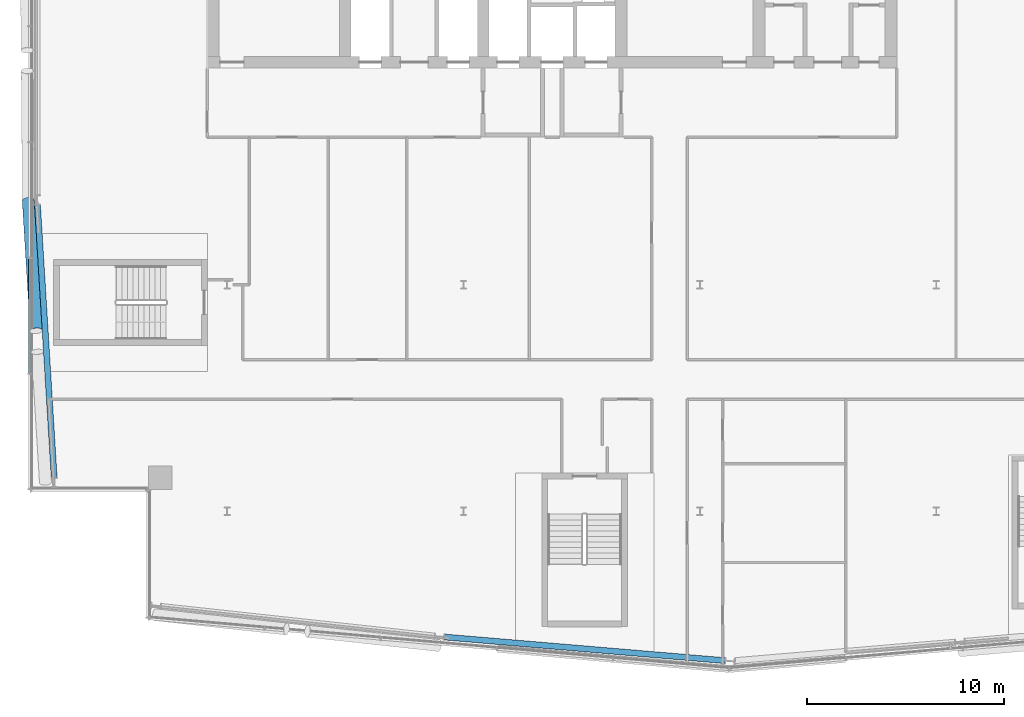
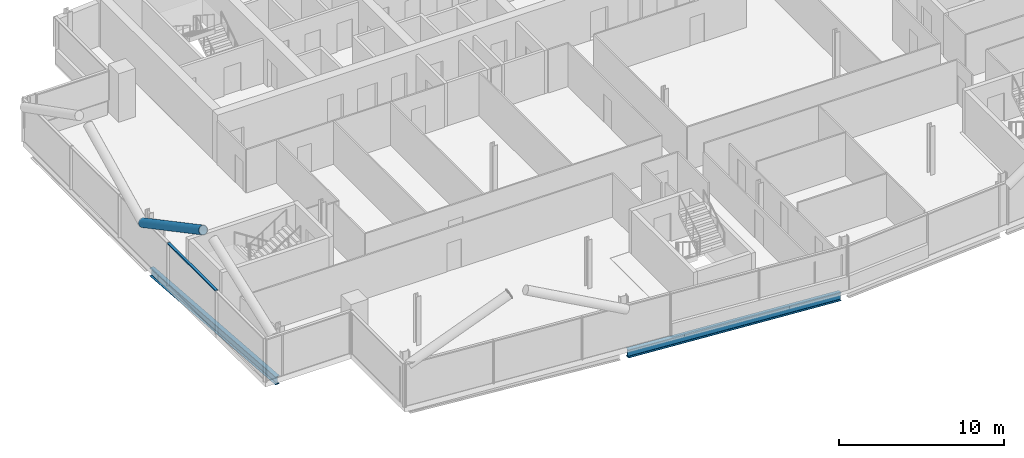
# One storey, part 6 of 27: 2 beams, 2 members, 1 element without a shape of its own.
"""IFC4 building model written with IfcOpenShell, lengths in metres."""

from ifc_helpers import new_model, si_unit, direction, frame, origin, origin_2d, place, context, subcontext, project, spatial, rectangle, hollow_circle, i_section, extrude, material, material_profile, profile_set, type_object, element, aggregate, save


model = new_model("IFC4")

# Units and contexts
model_context = context("Model", 3, precision=1e-05, world=origin(), true_north=direction((0.0, 1.0)))
body_context = subcontext(model_context, "Body", "Model", "MODEL_VIEW")
ifc_project = project(units=[si_unit("LENGTHUNIT", "METRE"), si_unit("AREAUNIT", "SQUARE_METRE"), si_unit("VOLUMEUNIT", "CUBIC_METRE"), si_unit("PLANEANGLEUNIT", "RADIAN"), si_unit("MASSUNIT", "GRAM", prefix="KILO")], contexts=[model_context])

# Site, building, storey
site_placement = place(None, origin())
site = spatial("IfcSite", under=ifc_project, at=site_placement, CompositionType="ELEMENT")
building_placement = place(site_placement, origin())
building = spatial("IfcBuilding", under=site, at=building_placement, Name="Wharfspan Tower", CompositionType="ELEMENT")
storey_placement = place(building_placement, frame((0.0, 0.0, 210.699951)))
storey = spatial("IfcBuildingStorey", under=building, at=storey_placement, Name="L52", CompositionType="ELEMENT", Elevation=210.699951)

# Beams
ifc_material_1 = material(Name="Steel S355J2", Category="steel")
ifc_material_profile_1 = material_profile(ifc_material_1, i_section(OverallWidth=0.300049, OverallDepth=0.600098, WebThickness=0.015381, FlangeThickness=0.030029, FilletRadius=0.0271, at=origin_2d()))
ifc_profile_set_1 = profile_set([ifc_material_profile_1], Name="Steel S355J2")
beam_type = type_object("IfcBeamType", Name="Edge beam HEB 600", PredefinedType="SPANDREL", material=ifc_profile_set_1)
beam_1_placement = place(storey_placement, frame((35.038574, 5.121582, -0.699951), z_axis=(0.996473, -0.083909, 0.0), x_axis=(0.083909, 0.996473, 0.0)))
element("IfcBeam", 1, at=beam_1_placement, inside=storey, type_object=beam_type, Name="Edge beam S1 L52 PS1.2 to PS1.3", PredefinedType="SPANDREL", context=body_context, shape_type="SweptSolid", body=[
    extrude(i_section(OverallWidth=0.300049, OverallDepth=0.600098, WebThickness=0.015381, FlangeThickness=0.030029, FilletRadius=0.0271, at=origin_2d()), origin(), (0.0, 0.0, 1.0), 14.277344),
])
beam_2_placement = place(storey_placement, frame((14.375732, 27.041992, -0.699951), z_axis=(0.061113, -0.998131, 0.0), x_axis=(0.998131, 0.061113, 0.0)))
element("IfcBeam", 2, at=beam_2_placement, inside=storey, type_object=beam_type, Name="Edge beam L52 PW.1 to PW.2", PredefinedType="SPANDREL", context=body_context, shape_type="SweptSolid", body=[
    extrude(i_section(OverallWidth=0.300049, OverallDepth=0.600098, WebThickness=0.015381, FlangeThickness=0.030029, FilletRadius=0.0271, at=origin_2d()), origin(), (0.0, 0.0, 1.0), 13.846436),
])

# Member
ifc_material_2 = material(Name="Steel S460NH", Category="steel")
ifc_material_profile_2 = material_profile(ifc_material_2, hollow_circle(Radius=0.304932, WallThickness=0.024902, at=origin_2d()))
ifc_profile_set_2 = profile_set([ifc_material_profile_2], Name="Steel S460NH")
member_type_1 = type_object("IfcMemberType", Name="Mega brace CHS 610x25", PredefinedType="BRACE", material=ifc_profile_set_2)
member_1_placement = place(storey_placement, frame((13.905029, 27.300049, 2.900146), z_axis=(0.054615, -0.892302, 0.448123), x_axis=(0.998132, 0.061091, -3e-06)))
element("IfcMember", 3, at=member_1_placement, inside=storey, type_object=member_type_1, Name="Mega brace W4 L53 part 1", PredefinedType="BRACE", context=body_context, shape_type="SweptSolid", body=[
    extrude(hollow_circle(Radius=0.304932, WallThickness=0.024902, at=origin_2d()), origin(), (0.0, 0.0, 1.0), 7.429443),
])

# Curtain wall, member
ifc_material_3 = material(Name="Aluminium 6063-T6", Category="aluminium")
curtain_wall_type = type_object("IfcCurtainWallType", Name="CURTAIN WALL PROW AND END", PredefinedType="NOTDEFINED", material=ifc_material_3)
curtain_wall_placement = place(storey_placement, origin())
curtain_wall = element("IfcCurtainWall", 4, at=curtain_wall_placement, inside=storey, type_object=curtain_wall_type, Name="Curtain wall W", PredefinedType="NOTDEFINED")
ifc_material_profile_3 = material_profile(ifc_material_3, rectangle(XDim=0.179932, YDim=0.080078, at=origin_2d()))
ifc_profile_set_3 = profile_set([ifc_material_profile_3], Name="Aluminium 6063-T6")
member_type_2 = type_object("IfcMemberType", Name="TRANSOM PROW AND END 80x180", PredefinedType="USERDEFINED", material=ifc_profile_set_3)
member_2_placement = place(storey_placement, frame((14.0, 24.330078, 3.160156), z_axis=(0.0, -1.0, 0.0), x_axis=(1.0, 0.0, 0.0)))
member_2 = element("IfcMember", 5, at=member_2_placement, type_object=member_type_2, Name="Curtain wall W transom 4", ObjectType="TRANSOM", PredefinedType="USERDEFINED", context=body_context, shape_type="SweptSolid", body=[
    extrude(rectangle(XDim=0.179932, YDim=0.080078, at=origin_2d()), origin(), (0.0, 0.0, 1.0), 5.820068),
])
aggregate(curtain_wall, [member_2])

save(model, "model.ifc")
